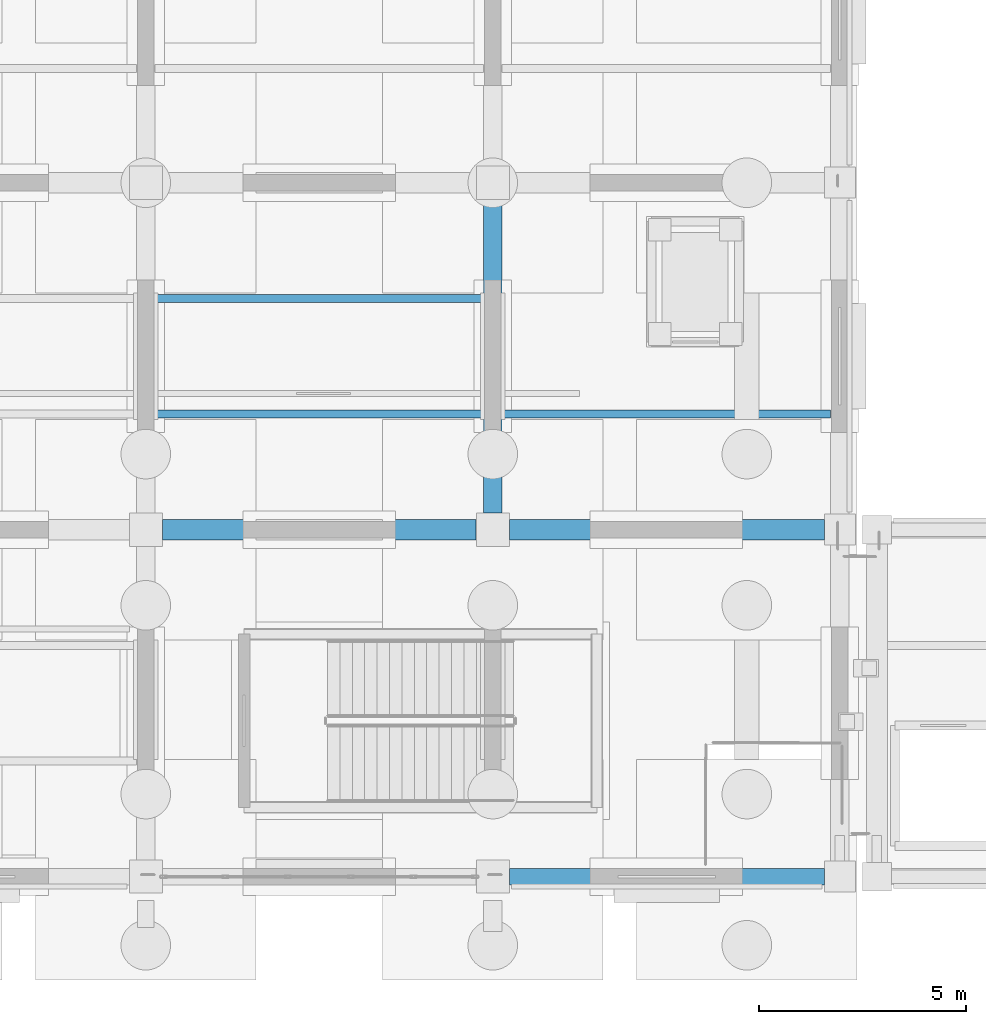
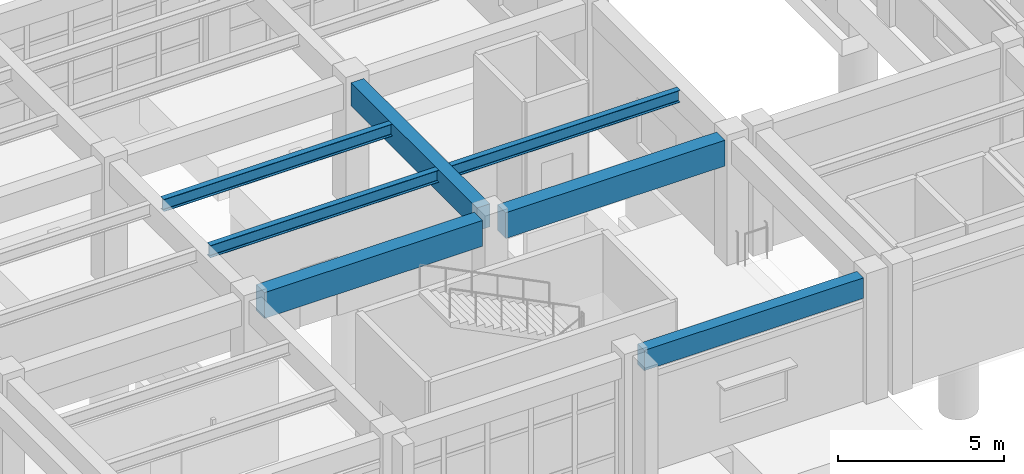
# One storey, part 35 of 111: 7 beams.
"""IFC4 building model written with IfcOpenShell, lengths in metres."""

from ifc_helpers import new_model, si_unit, direction, frame, origin, origin_2d, place, context, subcontext, project, spatial, rectangle, i_section, extrude, material, material_profile, profile_set, type_object, element, save


model = new_model("IFC4")

# Units and contexts
model_context = context("Model", 3, precision=1e-05, world=origin(), true_north=direction((0.0, 1.0)))
body_context = subcontext(model_context, "Body", "Model", "MODEL_VIEW")
ifc_project = project(units=[si_unit("LENGTHUNIT", "METRE"), si_unit("AREAUNIT", "SQUARE_METRE"), si_unit("VOLUMEUNIT", "CUBIC_METRE"), si_unit("PLANEANGLEUNIT", "RADIAN"), si_unit("MASSUNIT", "GRAM", prefix="KILO")], contexts=[model_context])

# Site, building, storey
site_placement = place(None, origin())
site = spatial("IfcSite", under=ifc_project, at=site_placement, CompositionType="ELEMENT")
building_placement = place(site_placement, origin())
building = spatial("IfcBuilding", under=site, at=building_placement, Name="Canglan Escarpment Cableway Terminal", CompositionType="ELEMENT")
storey_placement = place(building_placement, frame((0.0, 0.0, 4.800048828125)))
storey = spatial("IfcBuildingStorey", under=building, at=storey_placement, Name="L01", CompositionType="ELEMENT", Elevation=4.800048828125)

# Beams
ifc_material_1 = material(Name="Concrete C40", Category="concrete")
ifc_material_profile_1 = material_profile(ifc_material_1, rectangle(XDim=0.449951171875, YDim=0.85009765625, at=origin_2d()), Name="RC 450x850")
ifc_profile_set_1 = profile_set([ifc_material_profile_1], Name="Concrete C40")
beam_type_1 = type_object("IfcBeamType", Name="BM-RC450x850", PredefinedType="BEAM", material=ifc_profile_set_1)
beam_1_placement = place(storey_placement, frame((128.300048828125, 16.800048828125, 4.125), z_axis=(0.0, 1.0, 0.0), x_axis=(-1.0, 0.0, 0.0)))
element("IfcBeam", 1, at=beam_1_placement, inside=storey, type_object=beam_type_1, Name="Primary transverse girder B-02", PredefinedType="BEAM", context=body_context, shape_type="SweptSolid", body=[
    extrude(rectangle(XDim=0.449951171875, YDim=0.85009765625, at=origin_2d()), origin(), (0.0, 0.0, 1.0), 7.599853515625),
])
ifc_material_2 = material(Name="Concrete C50", Category="concrete")
ifc_material_profile_2 = material_profile(ifc_material_2, rectangle(XDim=0.5, YDim=0.949951171875, at=origin_2d()), Name="RC 500x950")
ifc_profile_set_2 = profile_set([ifc_material_profile_2], Name="Concrete C50")
beam_type_2 = type_object("IfcBeamType", Name="BM-RC500x950", PredefinedType="BEAM", material=ifc_profile_set_2)
beam_2_placement = place(storey_placement, frame((120.300048828125, 16.39990234375, 4.074951171875), z_axis=(1.0, 0.0, 0.0), x_axis=(0.0, 1.0, 0.0)))
element("IfcBeam", 2, at=beam_2_placement, inside=storey, type_object=beam_type_2, Name="Primary structural girder B-01", PredefinedType="BEAM", context=body_context, shape_type="SweptSolid", body=[
    extrude(rectangle(XDim=0.5, YDim=0.949951171875, at=origin_2d()), origin(), (0.0, 0.0, 1.0), 7.599853515625),
])
beam_3_placement = place(storey_placement, frame((128.699951171875, 16.39990234375, 4.074951171875), z_axis=(1.0, 0.0, 0.0), x_axis=(0.0, 1.0, 0.0)))
element("IfcBeam", 3, at=beam_3_placement, inside=storey, type_object=beam_type_2, Name="Primary structural girder B-01", PredefinedType="BEAM", context=body_context, shape_type="SweptSolid", body=[
    extrude(rectangle(XDim=0.5, YDim=0.949951171875, at=origin_2d()), origin(), (0.0, 0.0, 1.0), 7.625),
])
ifc_material_3 = material(Name="Steel Q355B", Category="steel")
ifc_material_profile_3 = material_profile(ifc_material_3, i_section(OverallWidth=0.199951171875, OverallDepth=0.449951171875, WebThickness=0.009033203125, FlangeThickness=0.013916015625, FilletRadius=0.01806640625, at=origin_2d()), Name="HN 450x200x9x14")
ifc_profile_set_3 = profile_set([ifc_material_profile_3], Name="Steel Q355B")
beam_type_3 = type_object("IfcBeamType", Name="JS-HN450", PredefinedType="JOIST", material=ifc_profile_set_3)
for number, where, z_axis, x_axis, name in (
    (4, (120.125, 19.199951171875, 4.324951171875), (1.0, 0.0, 0.0), (0.0, 1.0, 0.0), "Secondary composite deck joist J-02"),
    (5, (120.125, 22.0, 4.324951171875), (1.0, 0.0, 0.0), (0.0, 1.0, 0.0), "Secondary composite deck joist J-02"),
):
    element("IfcBeam", number, at=place(storey_placement, frame(where, z_axis=z_axis, x_axis=x_axis)), inside=storey, type_object=beam_type_3, Name=name, PredefinedType="JOIST", context=body_context, shape_type="SweptSolid", body=[
        extrude(i_section(OverallWidth=0.199951171875, OverallDepth=0.449951171875, WebThickness=0.009033203125, FlangeThickness=0.013916015625, FilletRadius=0.01806640625, at=origin_2d()), origin(), (0.0, 0.0, 1.0), 7.949951171875),
    ])
beam_4_placement = place(storey_placement, frame((128.52490234375, 19.199951171875, 4.324951171875), z_axis=(1.0, 0.0, 0.0), x_axis=(0.0, 1.0, 0.0)))
element("IfcBeam", 6, at=beam_4_placement, inside=storey, type_object=beam_type_3, Name="Secondary composite deck joist J-02", PredefinedType="JOIST", context=body_context, shape_type="SweptSolid", body=[
    extrude(i_section(OverallWidth=0.199951171875, OverallDepth=0.449951171875, WebThickness=0.009033203125, FlangeThickness=0.013916015625, FilletRadius=0.01806640625, at=origin_2d()), origin(), (0.0, 0.0, 1.0), 7.9501953125),
])
ifc_material_profile_4 = material_profile(ifc_material_1, rectangle(XDim=0.39990234375, YDim=0.75, at=origin_2d()), Name="RC 400x750")
ifc_profile_set_4 = profile_set([ifc_material_profile_4], Name="Concrete C40")
beam_type_4 = type_object("IfcBeamType", Name="SP-RC400x750", PredefinedType="SPANDREL", material=ifc_profile_set_4)
beam_5_placement = place(storey_placement, frame((128.699951171875, 8.0, 4.175048828125), z_axis=(1.0, 0.0, 0.0), x_axis=(0.0, 1.0, 0.0)))
element("IfcBeam", 7, at=beam_5_placement, inside=storey, type_object=beam_type_4, Name="Primary structural girder SP-01", PredefinedType="SPANDREL", context=body_context, shape_type="SweptSolid", body=[
    extrude(rectangle(XDim=0.39990234375, YDim=0.75, at=origin_2d()), origin(), (0.0, 0.0, 1.0), 7.625),
])

save(model, "model.ifc")
